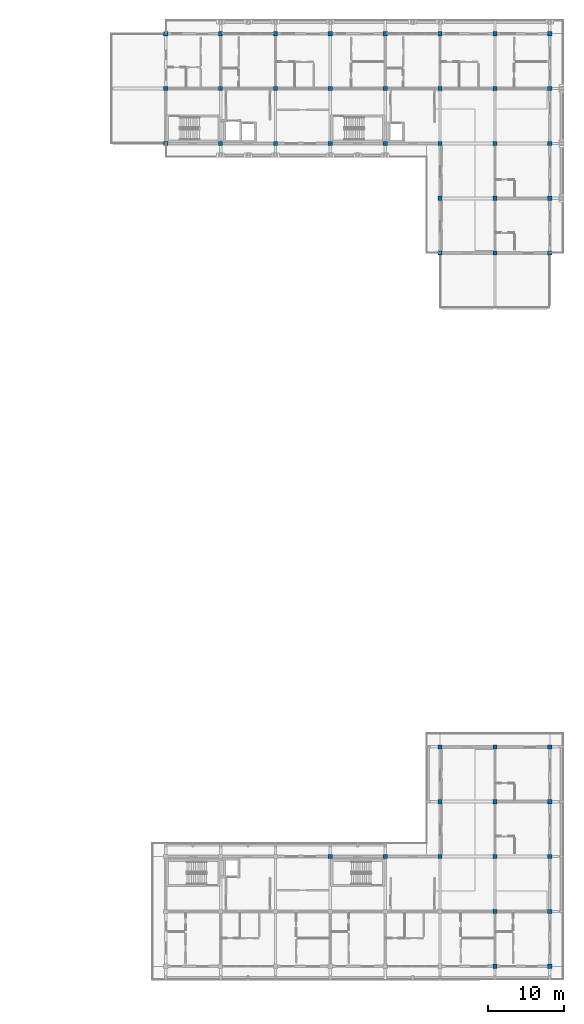
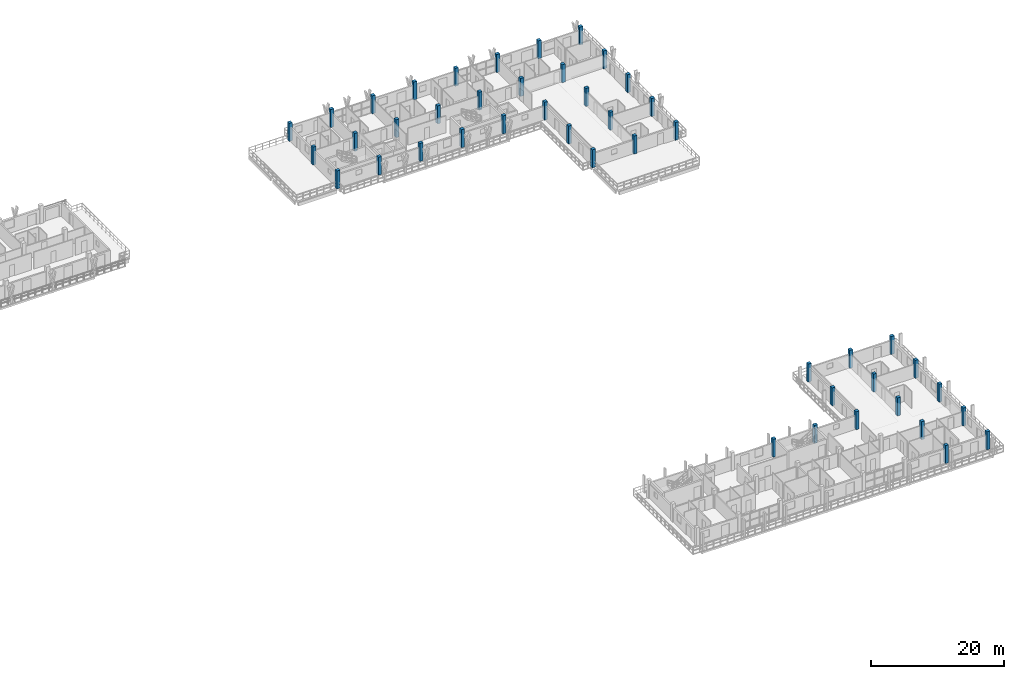
# One storey, part 4 of 60: 45 columns.
"""IFC4 building model written with IfcOpenShell, lengths in metres."""

import ifcopenshell
import ifcopenshell.guid

model = None  # the IFC model being written
_history = None  # IfcOwnerHistory: only IFC2X3 demands one
_inside = {}  # id of a spatial element -> (the spatial element, [elements in it])
_under = {}  # id of a project, library or spatial element -> (it, [spatial elements below it])
_declared = {}  # id of a project -> (the project, [libraries it declares])
_typed = {}  # id of a type object -> (the type object, [elements of that type])
_made_of = {}  # id of a material, layer set ... -> (it, [elements and type objects made of it])


def new_model(schema):
    """Start an empty IFC model of exactly this schema.

    Asked for "IFC4X3", IfcOpenShell would pick the latest addendum, in which some entities
    have other attributes; the version numbers below select the first issue.
    IFC2X3 requires an IfcOwnerHistory on every rooted entity: one is made here for all.
    """
    global model, _history
    if schema == "IFC4X3":
        model = ifcopenshell.file(schema_version=(4, 3, 0, 0))
    else:
        model = ifcopenshell.file(schema=schema)
    _inside.clear()
    _under.clear()
    _declared.clear()
    _typed.clear()
    _made_of.clear()
    _history = None
    if model.schema == "IFC2X3":
        org = make("IfcOrganization", Name="unknown")
        user = make(
            "IfcPersonAndOrganization",
            ThePerson=make("IfcPerson", FamilyName="unknown"),
            TheOrganization=org,
        )
        app = make(
            "IfcApplication",
            ApplicationDeveloper=org,
            Version="unknown",
            ApplicationFullName="unknown",
            ApplicationIdentifier="unknown",
        )
        _history = make(
            "IfcOwnerHistory",
            OwningUser=user,
            OwningApplication=app,
            ChangeAction="ADDED",
            CreationDate=0,
        )
    return model


def make(cls, **values):
    """One entity of the class cls with the attributes given. An attribute that is None is left unset."""
    return model.create_entity(
        cls, **{name: value for name, value in values.items() if value is not None}
    )


def rooted(cls, **values):
    """An entity with a GlobalId (a new one), such as an element, a storey or a relation."""
    return make(cls, GlobalId=ifcopenshell.guid.new(), OwnerHistory=_history, **values)


def si_unit(unit_type, name, prefix=None):
    """IfcSIUnit, for example si_unit("LENGTHUNIT", "METRE", prefix="MILLI")."""
    return make("IfcSIUnit", UnitType=unit_type, Prefix=prefix, Name=name)


def assignment(units):
    """IfcUnitAssignment: the units of a project."""
    return None if units is None else make("IfcUnitAssignment", Units=units)


def point(xyz):
    """IfcCartesianPoint."""
    return None if xyz is None else make("IfcCartesianPoint", Coordinates=xyz)


def direction(xyz):
    """IfcDirection."""
    return None if xyz is None else make("IfcDirection", DirectionRatios=xyz)


def frame(location, z_axis=None, x_axis=None):
    """IfcAxis2Placement3D, a coordinate frame: its origin and axes. An axis left out is left unset."""
    return make(
        "IfcAxis2Placement3D",
        Location=point(location),
        Axis=direction(z_axis),
        RefDirection=direction(x_axis),
    )


def frame_2d(location, x_axis=None):
    """IfcAxis2Placement2D, a coordinate frame in the plane: its origin and x axis."""
    return make(
        "IfcAxis2Placement2D", Location=point(location), RefDirection=direction(x_axis)
    )


def origin():
    """The frame at (0, 0, 0) with its axes left unset."""
    return frame((0.0, 0.0, 0.0))


def origin_2d():
    """The frame at (0, 0) in the plane with its x axis left unset."""
    return frame_2d((0.0, 0.0))


def place(relative_to, where):
    """IfcLocalPlacement: puts the frame where relative to a parent placement (None: the world)."""
    return make(
        "IfcLocalPlacement", PlacementRelTo=relative_to, RelativePlacement=where
    )


def context(
    kind, dimensions, precision=None, world=None, true_north=None, identifier=None
):
    """IfcGeometricRepresentationContext, for example the 3D "Model" context."""
    return make(
        "IfcGeometricRepresentationContext",
        ContextIdentifier=identifier,
        ContextType=kind,
        CoordinateSpaceDimension=dimensions,
        Precision=precision,
        WorldCoordinateSystem=world,
        TrueNorth=true_north,
    )


def subcontext(parent, identifier, kind, view, scale=None):
    """IfcGeometricRepresentationSubContext, for example "Body" below "Model"."""
    return make(
        "IfcGeometricRepresentationSubContext",
        ContextIdentifier=identifier,
        ContextType=kind,
        ParentContext=parent,
        TargetScale=scale,
        TargetView=view,
    )


def project(units=None, contexts=None):
    """IfcProject with its units and contexts."""
    return rooted(
        "IfcProject",
        Name="project",
        RepresentationContexts=contexts,
        UnitsInContext=assignment(units),
    )


def spatial(cls, under=None, at=None, **own):
    """A site, building, storey or space (cls), placed at a placement, below another one or the project."""
    s = rooted(cls, ObjectPlacement=at, **own)
    if under is not None:
        _under.setdefault(under.id(), (under, []))[1].append(s)
    return s


def profile(cls, at=None, kind="AREA", **sizes):
    """A parametric profile (cls). Its sizes go by their IFC names, for example OverallWidth=200.0."""
    return make(cls, ProfileType=kind, Position=at, **sizes)


def rectangle(**sizes):
    """IfcRectangleProfileDef."""
    return profile("IfcRectangleProfileDef", **sizes)


def extrude(swept, where, along, depth):
    """IfcExtrudedAreaSolid: the profile swept, set in the frame where, extruded along a direction by depth."""
    return make(
        "IfcExtrudedAreaSolid",
        SweptArea=swept,
        Position=where,
        ExtrudedDirection=direction(along),
        Depth=depth,
    )


def shape(context_of_items, identifier, shape_type, items):
    """IfcShapeRepresentation: the items that make up one representation, for example the "Body"."""
    return make(
        "IfcShapeRepresentation",
        ContextOfItems=context_of_items,
        RepresentationIdentifier=identifier,
        RepresentationType=shape_type,
        Items=items,
    )


def material(Name=None, Category=None):
    """IfcMaterial."""
    return make("IfcMaterial", Name=Name, Category=Category)


def material_profile(
    of_material, cross_section, Name=None, Category=None, Priority=None
):
    """IfcMaterialProfile: a cross section and its material."""
    return make(
        "IfcMaterialProfile",
        Name=Name,
        Material=of_material,
        Profile=cross_section,
        Priority=Priority,
        Category=Category,
    )


def profile_set(profiles, Name=None, composite=None):
    """IfcMaterialProfileSet."""
    return make(
        "IfcMaterialProfileSet",
        Name=Name,
        MaterialProfiles=profiles,
        CompositeProfile=composite,
    )


def made_of(thing, what):
    """Note that an element or type object is made of a material, layer set ...; save() writes the relation."""
    if what is not None:
        _made_of.setdefault(what.id(), (what, []))[1].append(thing)
    return thing


def type_object(cls, material=None, **own):
    """A type object (cls), such as IfcWallType, which elements share."""
    return made_of(rooted(cls, **own), material)


def element(
    cls,
    number,
    at=None,
    inside=None,
    cuts=None,
    type_object=None,
    material=None,
    context=None,
    identifier="Body",
    shape_type=None,
    held_by="IfcProductDefinitionShape",
    body=None,
    shapes=None,
    **own,
):
    """One element of the class cls, such as IfcWall. Its Tag is "e" and its number.

    at: its placement. inside: the storey or other place that contains it. cuts: it is an
    opening in that element (IfcRelVoidsElement). A single representation is given by context,
    identifier, shape_type and body (its items); several are given by shapes. held_by: the class
    of the entity that holds the representations. save() writes the other relations.
    """
    e = rooted(cls, Tag="e%d" % number, ObjectPlacement=at, **own)
    if body is not None:
        shapes = [shape(context, identifier, shape_type, body)]
    if shapes is not None:
        e.Representation = make(held_by, Representations=shapes)
    if inside is not None:
        _inside.setdefault(inside.id(), (inside, []))[1].append(e)
    if cuts is not None:
        rooted(
            "IfcRelVoidsElement", RelatingBuildingElement=cuts, RelatedOpeningElement=e
        )
    if type_object is not None:
        _typed.setdefault(type_object.id(), (type_object, []))[1].append(e)
    return made_of(e, material)


def aggregate(whole, parts):
    """IfcRelAggregates: a whole, such as a stair, and the parts it consists of."""
    return rooted("IfcRelAggregates", RelatingObject=whole, RelatedObjects=parts)


def save(model, path):
    """Write the relations noted so far, then the file.

    IfcRelAggregates (storeys below a building ...), IfcRelContainedInSpatialStructure (elements
    in a storey), IfcRelDefinesByType, IfcRelAssociatesMaterial and IfcRelDeclares: one each for
    every whole, place, type object, material and project.
    """
    for whole, parts in _under.values():
        aggregate(whole, parts)
    for where, things in _inside.values():
        rooted(
            "IfcRelContainedInSpatialStructure",
            RelatedElements=things,
            RelatingStructure=where,
        )
    for kind, things in _typed.values():
        rooted("IfcRelDefinesByType", RelatedObjects=things, RelatingType=kind)
    for what, things in _made_of.values():
        rooted("IfcRelAssociatesMaterial", RelatedObjects=things, RelatingMaterial=what)
    for by, libraries in _declared.values():
        rooted("IfcRelDeclares", RelatingContext=by, RelatedDefinitions=libraries)
    model.write(path)


model = new_model("IFC4")

# Units and contexts
model_context = context("Model", 3, precision=1e-05, world=origin(), true_north=direction((0.0, 1.0)))
body_context = subcontext(model_context, "Body", "Model", "MODEL_VIEW")
ifc_project = project(units=[si_unit("LENGTHUNIT", "METRE"), si_unit("AREAUNIT", "SQUARE_METRE"), si_unit("VOLUMEUNIT", "CUBIC_METRE"), si_unit("PLANEANGLEUNIT", "RADIAN"), si_unit("MASSUNIT", "GRAM", prefix="KILO")], contexts=[model_context])

# Site, building, storey
site_placement = place(None, origin())
site = spatial("IfcSite", under=ifc_project, at=site_placement, CompositionType="ELEMENT")
building_placement = place(site_placement, origin())
building = spatial("IfcBuilding", under=site, at=building_placement, Name="Suanplinth Sawtooth Commons", CompositionType="ELEMENT")
storey_placement = place(building_placement, frame((0.0, 0.0, 31.5)))
storey = spatial("IfcBuildingStorey", under=building, at=storey_placement, Name="L09", CompositionType="ELEMENT", Elevation=31.5)

# Columns
ifc_material = material(Name="Precast concrete C40/50", Category="concrete")
ifc_material_profile = material_profile(ifc_material, rectangle(XDim=0.550048828125, YDim=0.550048828125, at=origin_2d()), Name="PC-COL 550x550")
ifc_profile_set = profile_set([ifc_material_profile], Name="Precast concrete C40/50")
column_type = type_object("IfcColumnType", Name="C-05", PredefinedType="COLUMN", material=ifc_profile_set)
for number, where, z_axis, x_axis, name in (
    (1, (136.800048828125, 108.0, 0.0), (0.0, 0.0, 1.0), (1.0, 0.0, 0.0), "Column L09 20/R"),
    (2, (136.800048828125, 115.199951171875, 0.0), (0.0, 0.0, 1.0), (1.0, 0.0, 0.0), "Column L09 20/S"),
    (3, (136.800048828125, 122.39990234375, 0.0), (0.0, 0.0, 1.0), (1.0, 0.0, 0.0), "Column L09 20/T"),
    (4, (144.0, 108.0, 0.0), (0.0, 0.0, 1.0), (1.0, 0.0, 0.0), "Column L09 21/R"),
    (5, (144.0, 115.199951171875, 0.0), (0.0, 0.0, 1.0), (1.0, 0.0, 0.0), "Column L09 21/S"),
    (6, (144.0, 122.39990234375, 0.0), (0.0, 0.0, 1.0), (1.0, 0.0, 0.0), "Column L09 21/T"),
    (7, (151.199951171875, 108.0, 0.0), (0.0, 0.0, 1.0), (1.0, 0.0, 0.0), "Column L09 22/R"),
    (8, (151.199951171875, 115.199951171875, 0.0), (0.0, 0.0, 1.0), (1.0, 0.0, 0.0), "Column L09 22/S"),
    (9, (151.199951171875, 122.39990234375, 0.0), (0.0, 0.0, 1.0), (1.0, 0.0, 0.0), "Column L09 22/T"),
    (10, (158.39990234375, 14.39990234375, 0.0), (0.0, 0.0, 1.0), (1.0, 0.0, 0.0), "Column L09 23/C"),
    (11, (158.39990234375, 108.0, 0.0), (0.0, 0.0, 1.0), (1.0, 0.0, 0.0), "Column L09 23/R"),
    (12, (158.39990234375, 115.199951171875, 0.0), (0.0, 0.0, 1.0), (1.0, 0.0, 0.0), "Column L09 23/S"),
    (13, (158.39990234375, 122.39990234375, 0.0), (0.0, 0.0, 1.0), (1.0, 0.0, 0.0), "Column L09 23/T"),
    (14, (165.60009765625, 14.39990234375, 0.0), (0.0, 0.0, 1.0), (1.0, 0.0, 0.0), "Column L09 24/C"),
    (15, (165.60009765625, 108.0, 0.0), (0.0, 0.0, 1.0), (1.0, 0.0, 0.0), "Column L09 24/R"),
    (16, (165.60009765625, 115.199951171875, 0.0), (0.0, 0.0, 1.0), (1.0, 0.0, 0.0), "Column L09 24/S"),
    (17, (165.60009765625, 122.39990234375, 0.0), (0.0, 0.0, 1.0), (1.0, 0.0, 0.0), "Column L09 24/T"),
    (18, (172.800048828125, 14.39990234375, 0.0), (0.0, 0.0, 1.0), (1.0, 0.0, 0.0), "Column L09 25/C"),
    (19, (172.800048828125, 21.60009765625, 0.0), (0.0, 0.0, 1.0), (1.0, 0.0, 0.0), "Column L09 25/D"),
    (20, (172.800048828125, 28.800048828125, 0.0), (0.0, 0.0, 1.0), (1.0, 0.0, 0.0), "Column L09 25/E"),
    (21, (172.800048828125, 93.60009765625, 0.0), (0.0, 0.0, 1.0), (1.0, 0.0, 0.0), "Column L09 25/P"),
    (22, (172.800048828125, 100.800048828125, 0.0), (0.0, 0.0, 1.0), (1.0, 0.0, 0.0), "Column L09 25/Q"),
    (23, (172.800048828125, 108.0, 0.0), (0.0, 0.0, 1.0), (1.0, 0.0, 0.0), "Column L09 25/R"),
    (24, (172.800048828125, 115.199951171875, 0.0), (0.0, 0.0, 1.0), (1.0, 0.0, 0.0), "Column L09 25/S"),
    (25, (172.800048828125, 122.39990234375, 0.0), (0.0, 0.0, 1.0), (1.0, 0.0, 0.0), "Column L09 25/T"),
    (26, (180.0, 0.0, 0.0), (0.0, 0.0, 1.0), (1.0, 0.0, 0.0), "Column L09 26/A"),
    (27, (180.0, 7.199951171875, 0.0), (0.0, 0.0, 1.0), (1.0, 0.0, 0.0), "Column L09 26/B"),
    (28, (180.0, 14.39990234375, 0.0), (0.0, 0.0, 1.0), (1.0, 0.0, 0.0), "Column L09 26/C"),
    (29, (180.0, 21.60009765625, 0.0), (0.0, 0.0, 1.0), (1.0, 0.0, 0.0), "Column L09 26/D"),
    (30, (180.0, 28.800048828125, 0.0), (0.0, 0.0, 1.0), (1.0, 0.0, 0.0), "Column L09 26/E"),
    (31, (180.0, 93.60009765625, 0.0), (0.0, 0.0, 1.0), (1.0, 0.0, 0.0), "Column L09 26/P"),
    (32, (180.0, 100.800048828125, 0.0), (0.0, 0.0, 1.0), (1.0, 0.0, 0.0), "Column L09 26/Q"),
    (33, (180.0, 108.0, 0.0), (0.0, 0.0, 1.0), (1.0, 0.0, 0.0), "Column L09 26/R"),
    (34, (180.0, 115.199951171875, 0.0), (0.0, 0.0, 1.0), (1.0, 0.0, 0.0), "Column L09 26/S"),
    (35, (180.0, 122.39990234375, 0.0), (0.0, 0.0, 1.0), (1.0, 0.0, 0.0), "Column L09 26/T"),
    (36, (187.199951171875, 0.0, 0.0), (0.0, 0.0, 1.0), (1.0, 0.0, 0.0), "Column L09 27/A"),
    (37, (187.199951171875, 7.199951171875, 0.0), (0.0, 0.0, 1.0), (1.0, 0.0, 0.0), "Column L09 27/B"),
    (38, (187.199951171875, 14.39990234375, 0.0), (0.0, 0.0, 1.0), (1.0, 0.0, 0.0), "Column L09 27/C"),
    (39, (187.199951171875, 21.60009765625, 0.0), (0.0, 0.0, 1.0), (1.0, 0.0, 0.0), "Column L09 27/D"),
    (40, (187.199951171875, 28.800048828125, 0.0), (0.0, 0.0, 1.0), (1.0, 0.0, 0.0), "Column L09 27/E"),
    (41, (187.199951171875, 93.60009765625, 0.0), (0.0, 0.0, 1.0), (1.0, 0.0, 0.0), "Column L09 27/P"),
    (42, (187.199951171875, 100.800048828125, 0.0), (0.0, 0.0, 1.0), (1.0, 0.0, 0.0), "Column L09 27/Q"),
    (43, (187.199951171875, 108.0, 0.0), (0.0, 0.0, 1.0), (1.0, 0.0, 0.0), "Column L09 27/R"),
    (44, (187.199951171875, 115.199951171875, 0.0), (0.0, 0.0, 1.0), (1.0, 0.0, 0.0), "Column L09 27/S"),
    (45, (187.199951171875, 122.39990234375, 0.0), (0.0, 0.0, 1.0), (1.0, 0.0, 0.0), "Column L09 27/T"),
):
    element("IfcColumn", number, at=place(storey_placement, frame(where, z_axis=z_axis, x_axis=x_axis)), inside=storey, type_object=column_type, Name=name, PredefinedType="COLUMN", context=body_context, shape_type="SweptSolid", body=[
        extrude(rectangle(XDim=0.550048828125, YDim=0.550048828125, at=origin_2d()), origin(), (0.0, 0.0, 1.0), 3.300048828125),
    ])

save(model, "model.ifc")
